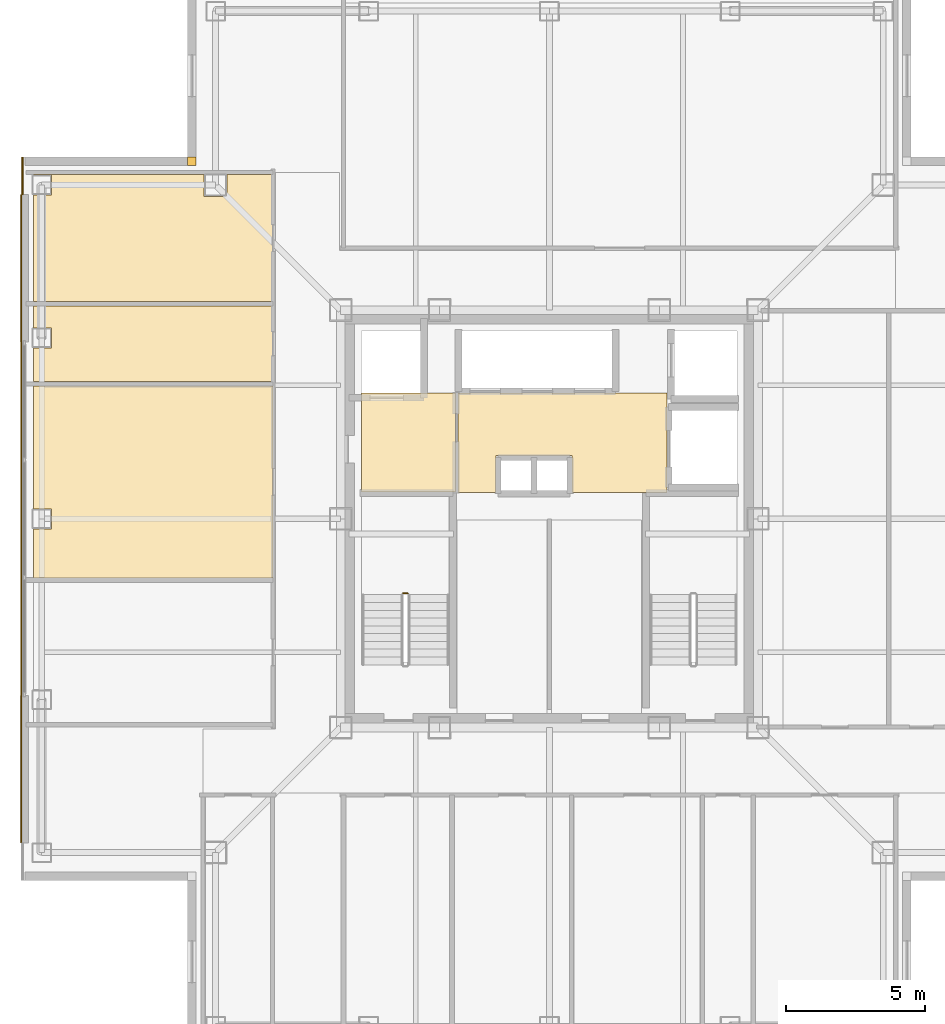
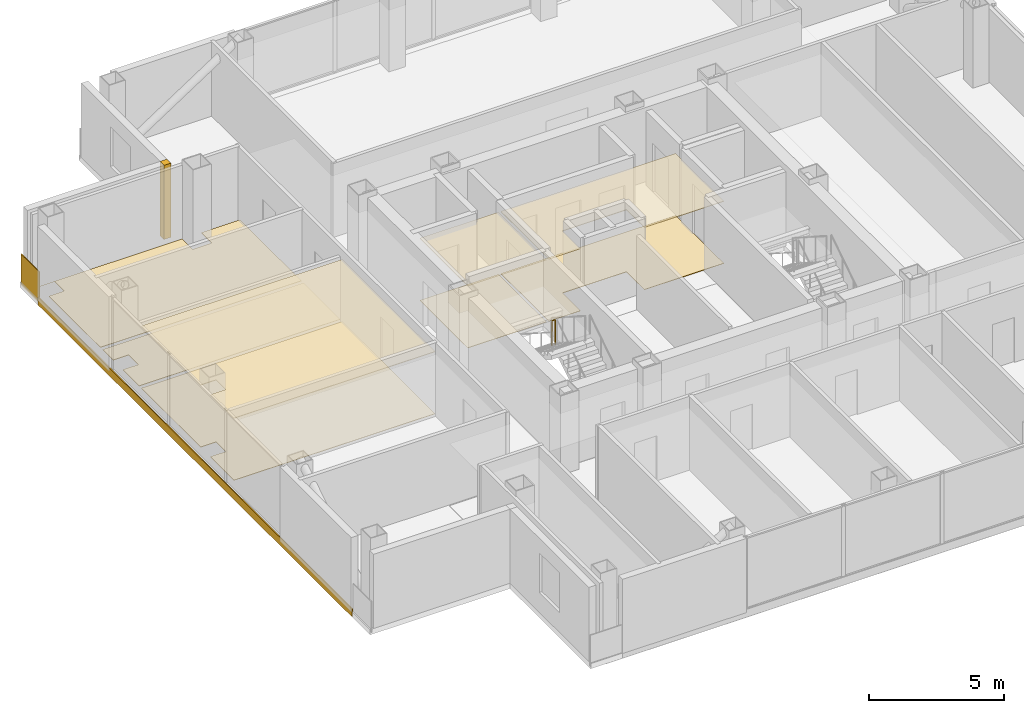
# One storey, part 13 of 16: 11 coverings, 1 railing.
"""IFC4 building model written with IfcOpenShell, lengths in metres."""

from ifc_helpers import new_model, si_unit, direction, frame, frame_2d, origin, origin_2d, place, context, subcontext, project, spatial, polyline, rectangle, circle, outline, extrude, material, layer, layer_set, type_object, element, save


model = new_model("IFC4")

# Units and contexts
model_context = context("Model", 3, precision=1e-05, world=origin(), true_north=direction((0.0, 1.0)))
body_context = subcontext(model_context, "Body", "Model", "MODEL_VIEW")
ifc_project = project(units=[si_unit("LENGTHUNIT", "METRE"), si_unit("AREAUNIT", "SQUARE_METRE"), si_unit("VOLUMEUNIT", "CUBIC_METRE"), si_unit("PLANEANGLEUNIT", "RADIAN"), si_unit("MASSUNIT", "GRAM", prefix="KILO")], contexts=[model_context])

# Site, building, storey
site_placement = place(None, origin())
site = spatial("IfcSite", under=ifc_project, at=site_placement, CompositionType="ELEMENT")
building_placement = place(site_placement, origin())
building = spatial("IfcBuilding", under=site, at=building_placement, Name="Trevonay Congress Spire", CompositionType="ELEMENT")
storey_placement = place(building_placement, frame((0.0, 0.0, 290.0)))
storey = spatial("IfcBuildingStorey", under=building, at=storey_placement, Name="L76", CompositionType="ELEMENT", Elevation=290.0)

# Coverings
ifc_material_1 = material(Name="Acoustic Mineral Fibre Board", Category="gypsum")
ifc_layer_1 = layer(ifc_material_1, 0.02490234375, Name="Acoustic Mineral Fibre Board")
ifc_layer_set_1 = layer_set([ifc_layer_1], Name="Acoustic Mineral Fibre Board")
covering_type_1 = type_object("IfcCoveringType", Name="COV-CEIL-ACOUSTIC", PredefinedType="CEILING", material=ifc_layer_set_1)
covering_1_placement = place(storey_placement, frame((0.0, 0.0, 2.81005859375)))
element("IfcCovering", 1, at=covering_1_placement, inside=storey, type_object=covering_type_1, Name="L76 Firefighting Lift Lobby West acoustic suspended ceiling", PredefinedType="CEILING", context=body_context, shape_type="SweptSolid", body=[
    extrude(outline(polyline([(-6.75, 0.9599609375), (-3.3798828125, 0.9599609375), (-3.3798828125, 4.52001953125), (-6.75, 4.52001953125), (-6.75, 0.9599609375)])), origin(), (0.0, 0.0, 1.0), 0.02490234375),
])
covering_2_placement = place(storey_placement, frame((0.0, 0.0, 2.81005859375)))
element("IfcCovering", 2, at=covering_2_placement, inside=storey, type_object=covering_type_1, Name="L76 Central and High-Rise Passenger Lift Lobby acoustic suspended ceiling", PredefinedType="CEILING", context=body_context, shape_type="SweptSolid", body=[
    extrude(outline(polyline([(-3.280029296875, 0.949951171875), (-1.919921875, 0.949951171875), (-1.919921875, 2.280029296875), (0.820068359375, 2.280029296875), (0.820068359375, 0.949951171875), (4.219970703125, 0.949951171875), (4.219970703125, 4.52001953125), (-3.280029296875, 4.52001953125), (-3.280029296875, 0.949951171875)])), origin(), (0.0, 0.0, 1.0), 0.02490234375),
])
covering_3_placement = place(storey_placement, frame((0.0, 0.0, 2.81005859375)))
element("IfcCovering", 3, at=covering_3_placement, inside=storey, type_object=covering_type_1, Name="L76 Symposium Seminar Room B acoustic suspended ceiling", PredefinedType="CEILING", context=body_context, shape_type="SweptSolid", body=[
    extrude(outline(polyline([(-18.550048828125, 4.77001953125), (-9.929931640625, 4.77001953125), (-9.929931640625, -2.1201171875), (-18.550048828125, -2.1201171875), (-18.550048828125, -0.360107421875), (-17.889892578125, -0.360107421875), (-17.889892578125, 0.360107421875), (-18.550048828125, 0.360107421875), (-18.550048828125, 4.77001953125)])), origin(), (0.0, 0.0, 1.0), 0.02490234375),
])
ifc_material_2 = material(Name="Polished Granite Floor Tile", Category="masonry")
ifc_layer_2 = layer(ifc_material_2, 0.02001953125, Name="Polished Granite Floor Tile")
ifc_layer_set_2 = layer_set([ifc_layer_2], Name="Polished Granite Floor Tile")
covering_type_2 = type_object("IfcCoveringType", Name="COV-FLOOR-STONE", PredefinedType="FLOORING", material=ifc_layer_set_2)
covering_4_placement = place(storey_placement, origin())
element("IfcCovering", 4, at=covering_4_placement, inside=storey, type_object=covering_type_2, Name="L76 Firefighting Lift Lobby West floor finish", PredefinedType="FLOORING", context=body_context, shape_type="SweptSolid", body=[
    extrude(outline(polyline([(-6.75, 0.9599609375), (-3.3798828125, 0.9599609375), (-3.3798828125, 4.52001953125), (-6.75, 4.52001953125), (-6.75, 0.9599609375)])), origin(), (0.0, 0.0, 1.0), 0.02001953125),
])
covering_5_placement = place(storey_placement, origin())
element("IfcCovering", 5, at=covering_5_placement, inside=storey, type_object=covering_type_2, Name="L76 Central and High-Rise Passenger Lift Lobby floor finish", PredefinedType="FLOORING", context=body_context, shape_type="SweptSolid", body=[
    extrude(outline(polyline([(-3.280029296875, 0.949951171875), (-1.919921875, 0.949951171875), (-1.919921875, 2.280029296875), (0.820068359375, 2.280029296875), (0.820068359375, 0.949951171875), (4.219970703125, 0.949951171875), (4.219970703125, 4.52001953125), (-3.280029296875, 4.52001953125), (-3.280029296875, 0.949951171875)])), origin(), (0.0, 0.0, 1.0), 0.02001953125),
])
covering_6_placement = place(storey_placement, origin())
element("IfcCovering", 6, at=covering_6_placement, inside=storey, type_object=covering_type_2, Name="L76 Male Restroom WC floor finish", PredefinedType="FLOORING", context=body_context, shape_type="SweptSolid", body=[
    extrude(outline(polyline([(-18.550048828125, 7.64990234375), (-9.929931640625, 7.64990234375), (-9.929931640625, 4.929931640625), (-18.550048828125, 4.929931640625), (-18.550048828125, 6.139892578125), (-17.889892578125, 6.139892578125), (-17.889892578125, 6.860107421875), (-18.550048828125, 6.860107421875), (-18.550048828125, 7.64990234375)])), origin(), (0.0, 0.0, 1.0), 0.02001953125),
])
covering_7_placement = place(storey_placement, origin())
element("IfcCovering", 7, at=covering_7_placement, inside=storey, type_object=covering_type_2, Name="L76 Floor Supplies and Copy Room floor finish", PredefinedType="FLOORING", context=body_context, shape_type="SweptSolid", body=[
    extrude(outline(polyline([(-9.929931640625, 12.3701171875), (-9.929931640625, 7.81005859375), (-18.550048828125, 7.81005859375), (-18.550048828125, 11.639892578125), (-17.889892578125, 11.639892578125), (-17.889892578125, 12.360107421875), (-18.550048828125, 12.360107421875), (-18.550048828125, 12.3701171875), (-12.409912109375, 12.3701171875), (-12.409912109375, 11.590087890625), (-11.590087890625, 11.590087890625), (-11.590087890625, 12.3701171875), (-9.929931640625, 12.3701171875)])), origin(), (0.0, 0.0, 1.0), 0.02001953125),
])
ifc_material_3 = material(Name="Engineered Oak Flooring", Category="wood")
ifc_layer_3 = layer(ifc_material_3, 0.01806640625, Name="Engineered Oak Flooring")
ifc_layer_set_3 = layer_set([ifc_layer_3], Name="Engineered Oak Flooring")
covering_type_3 = type_object("IfcCoveringType", Name="COV-FLOOR-TIMBER", PredefinedType="FLOORING", material=ifc_layer_set_3)
covering_8_placement = place(storey_placement, origin())
element("IfcCovering", 8, at=covering_8_placement, inside=storey, type_object=covering_type_3, Name="L76 Symposium Seminar Room B floor finish", PredefinedType="FLOORING", context=body_context, shape_type="SweptSolid", body=[
    extrude(outline(polyline([(-18.550048828125, 4.77001953125), (-9.929931640625, 4.77001953125), (-9.929931640625, -2.1201171875), (-18.550048828125, -2.1201171875), (-18.550048828125, -0.360107421875), (-17.889892578125, -0.360107421875), (-17.889892578125, 0.360107421875), (-18.550048828125, 0.360107421875), (-18.550048828125, 4.77001953125)])), origin(), (0.0, 0.0, 1.0), 0.01806640625),
])
ifc_material_4 = material(Name="Pale Anodised Aluminium EN AW-6063-T6", Category="aluminium")
ifc_layer_4 = layer(ifc_material_4, 0.0400390625, Name="Pale Anodised Aluminium EN AW-6063-T6")
ifc_layer_set_4 = layer_set([ifc_layer_4], Name="Pale Anodised Aluminium EN AW-6063-T6")
covering_type_4 = type_object("IfcCoveringType", Name="COV-SPANDREL-PALE-METAL", PredefinedType="CLADDING", material=ifc_layer_set_4)
covering_9_placement = place(storey_placement, frame((-18.97998046875, -11.64990234375, -0.239990234375), z_axis=(0.0, 0.0, 1.0), x_axis=(0.0, 1.0, 0.0)))
element("IfcCovering", 9, at=covering_9_placement, inside=storey, type_object=covering_type_4, Name="L76 W pale-metal slab-edge spandrel cladding", PredefinedType="CLADDING", context=body_context, shape_type="SweptSolid", body=[
    extrude(rectangle(XDim=23.2998046875, YDim=0.0400390625, at=frame_2d((11.64990234375, 0.0))), origin(), (0.0, 0.0, 1.0), 0.360107421875),
])
covering_10_placement = place(storey_placement, origin())
element("IfcCovering", 10, at=covering_10_placement, inside=storey, type_object=covering_type_4, Name="L76 NW re-entrant notch corner closure trim", PredefinedType="CLADDING", context=body_context, shape_type="SweptSolid", body=[
    extrude(outline(polyline([(-13.0, 12.699951171875), (-12.699951171875, 12.699951171875), (-12.699951171875, 13.0), (-13.0, 13.0), (-13.0, 12.699951171875)])), origin(), (0.0, 0.0, 1.0), 3.360107421875),
])
covering_11_placement = place(storey_placement, frame((-18.93994140625, 11.64990234375, -0.14990234375), z_axis=(0.0, 0.0, 1.0), x_axis=(0.0, 1.0, 0.0)))
element("IfcCovering", 11, at=covering_11_placement, inside=storey, type_object=covering_type_4, Name="L76 NW corner pier spandrel cladding 1", PredefinedType="CLADDING", context=body_context, shape_type="SweptSolid", body=[
    extrude(rectangle(XDim=1.35009765625, YDim=0.0400390625, at=frame_2d((0.675048828125, 0.0))), origin(), (0.0, 0.0, 1.0), 1.39990234375),
])

# Railing
railing_type = type_object("IfcRailingType", Name="RAL-STAIR-GUARD-110", PredefinedType="GUARDRAIL", material=ifc_material_4)
railing_placement = place(storey_placement, frame((-5.10009765625, -2.679931640625, 1.800048828125)))
element("IfcRailing", 12, at=railing_placement, inside=storey, type_object=railing_type, Name="L76 ST-1 stair guard 2", PredefinedType="GUARDRAIL", context=body_context, shape_type="SweptSolid", body=[
    extrude(circle(Radius=0.02392578125, at=origin_2d()), frame((0.0, 0.0, 1.1259765625), z_axis=(-1.0, 0.0, 0.0), x_axis=(0.0, -1.0, 0.0)), (0.0, 0.0, 1.0), 0.14990234375),
    extrude(circle(Radius=0.02099609375, at=origin_2d()), origin(), (0.0, 0.0, 1.0), 1.101806640625),
    extrude(circle(Radius=0.02099609375, at=origin_2d()), frame((-0.14990234375, 0.0, 0.0)), (0.0, 0.0, 1.0), 1.101806640625),
])

save(model, "model.ifc")
